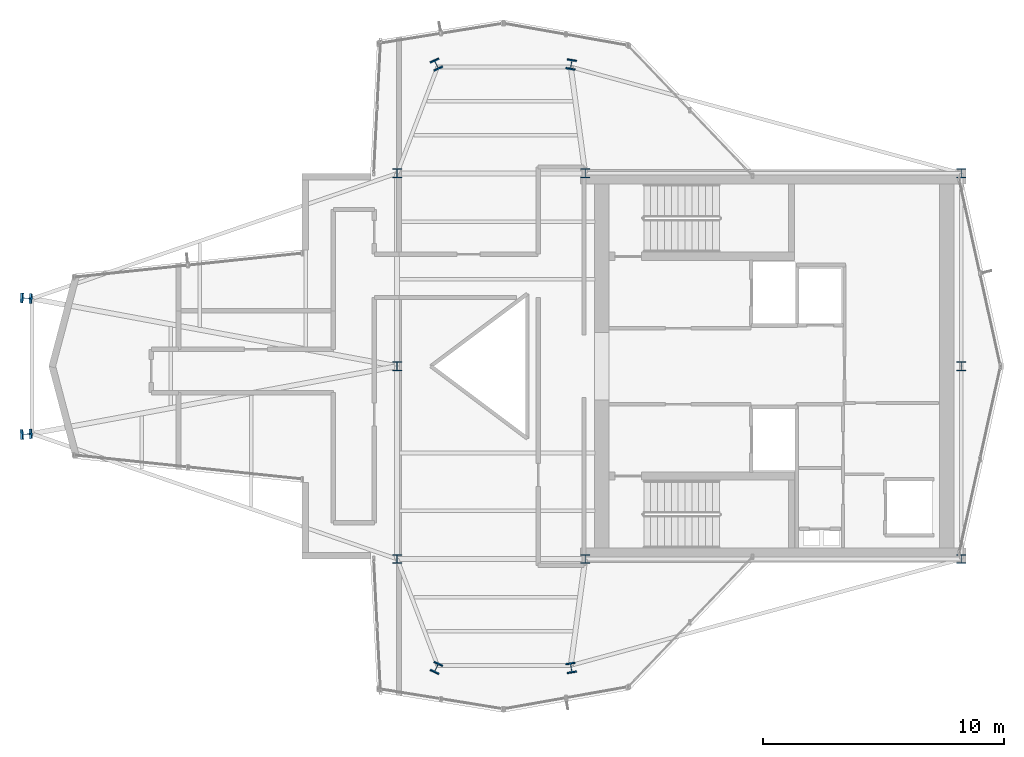
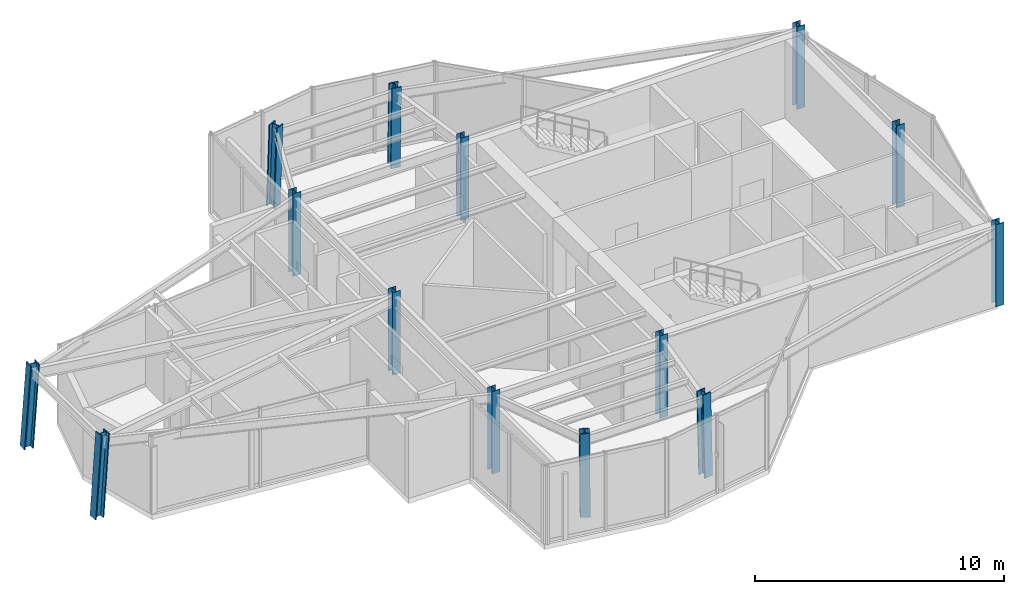
# One storey, part 1 of 14: 14 columns.
"""IFC4 building model written with IfcOpenShell, lengths in metres."""

from ifc_helpers import new_model, si_unit, direction, frame, origin, origin_2d, place, context, subcontext, project, spatial, i_section, extrude, material, material_profile, profile_set, type_object, element, save


model = new_model("IFC4")

# Units and contexts
model_context = context("Model", 3, precision=1e-05, world=origin(), true_north=direction((0.0, 1.0)))
body_context = subcontext(model_context, "Body", "Model", "MODEL_VIEW")
ifc_project = project(units=[si_unit("LENGTHUNIT", "METRE"), si_unit("AREAUNIT", "SQUARE_METRE"), si_unit("VOLUMEUNIT", "CUBIC_METRE"), si_unit("PLANEANGLEUNIT", "RADIAN"), si_unit("MASSUNIT", "GRAM", prefix="KILO")], contexts=[model_context])

# Site, building, storey
site_placement = place(None, origin())
site = spatial("IfcSite", under=ifc_project, at=site_placement, CompositionType="ELEMENT")
building_placement = place(site_placement, origin())
building = spatial("IfcBuilding", under=site, at=building_placement, Name="Veymaron Broadcast Tower", CompositionType="ELEMENT")
storey_placement = place(building_placement, frame((0.0, 0.0, 299.25)))
storey = spatial("IfcBuildingStorey", under=building, at=storey_placement, Name="L70", CompositionType="ELEMENT", Elevation=299.25)

# Columns
ifc_material_1 = material(Name="Structural steel ASTM A992 Gr 50", Category="steel")
ifc_material_profile_1 = material_profile(ifc_material_1, i_section(OverallWidth=0.373046875, OverallDepth=0.367919921875, WebThickness=0.014892578125, FlangeThickness=0.02392578125, at=origin_2d()), Name="W360X179")
ifc_profile_set_1 = profile_set([ifc_material_profile_1], Name="Structural steel ASTM A992 Gr 50")
column_type_1 = type_object("IfcColumnType", Name="COL-HC4", PredefinedType="COLUMN", material=ifc_profile_set_1)
for number, where, z_axis, x_axis, name in (
    (1, (31.199951171875, 16.0, 0.0), (0.0, 0.0, 1.0), (1.0, 0.0, 0.0), "L70 structural hub and core column"),
    (2, (31.199951171875, 24.0, 0.0), (0.0, 0.0, 1.0), (1.0, 0.0, 0.0), "L70 structural hub and core column"),
    (3, (31.199951171875, 32.0, 0.0), (0.0, 0.0, 1.0), (1.0, 0.0, 0.0), "L70 structural hub and core column"),
    (4, (39.0, 16.0, 0.0), (0.0, 0.0, 1.0), (1.0, 0.0, 0.0), "L70 structural hub and core column"),
    (5, (39.0, 32.0, 0.0), (0.0, 0.0, 1.0), (1.0, 0.0, 0.0), "L70 structural hub and core column"),
    (6, (54.60009765625, 16.0, 0.0), (0.0, 0.0, 1.0), (1.0, 0.0, 0.0), "L70 structural hub and core column"),
    (7, (54.60009765625, 24.0, 0.0), (0.0, 0.0, 1.0), (1.0, 0.0, 0.0), "L70 structural hub and core column"),
    (8, (54.60009765625, 32.0, 0.0), (0.0, 0.0, 1.0), (1.0, 0.0, 0.0), "L70 structural hub and core column"),
):
    element("IfcColumn", number, at=place(storey_placement, frame(where, z_axis=z_axis, x_axis=x_axis)), inside=storey, type_object=column_type_1, Name=name, PredefinedType="COLUMN", context=body_context, shape_type="SweptSolid", body=[
        extrude(i_section(OverallWidth=0.373046875, OverallDepth=0.367919921875, WebThickness=0.014892578125, FlangeThickness=0.02392578125, at=origin_2d()), origin(), (0.0, 0.0, 1.0), 4.0439453125),
    ])
ifc_material_2 = material(Name="Structural steel ASTM A913 Gr 65", Category="steel")
ifc_material_profile_2 = material_profile(ifc_material_2, i_section(OverallWidth=0.406005859375, OverallDepth=0.416015625, WebThickness=0.02978515625, FlangeThickness=0.048095703125, at=origin_2d()), Name="W360X382")
ifc_profile_set_2 = profile_set([ifc_material_profile_2], Name="Structural steel ASTM A913 Gr 65")
column_type_2 = type_object("IfcColumnType", Name="COL-MC4", PredefinedType="COLUMN", material=ifc_profile_set_2)
for number, where, z_axis, x_axis, name in (
    (9, (15.7763671875, 21.177978515625, 0.01611328125), (0.068561985202, 0.004970895479, 0.997634474336), (-0.072312401922, 0.997382031384, 0.0), "L70 Tapered Wing Mega Column"),
    (10, (15.7763671875, 26.822021484375, 0.01611328125), (0.068561985202, -0.004970895479, 0.997634474336), (0.072312401922, 0.997382031384, 0.0), "L70 Tapered Wing Mega Column"),
):
    element("IfcColumn", number, at=place(storey_placement, frame(where, z_axis=z_axis, x_axis=x_axis)), inside=storey, type_object=column_type_2, Name=name, PredefinedType="COLUMN", context=body_context, shape_type="SweptSolid", body=[
        extrude(i_section(OverallWidth=0.406005859375, OverallDepth=0.416015625, WebThickness=0.02978515625, FlangeThickness=0.048095703125, at=origin_2d()), origin(), (0.0, 0.0, 1.0), 4.02734375),
    ])
column_1_placement = place(storey_placement, frame((32.818359375, 36.531982421875, 0.01611328125), z_axis=(0.013968236766, -0.029819148922, 0.999457706318), x_axis=(0.905569653976, 0.424197597586, 0.0)))
element("IfcColumn", 11, at=column_1_placement, inside=storey, type_object=column_type_2, Name="L70 Tapered Wing Mega Column", PredefinedType="COLUMN", context=body_context, shape_type="SweptSolid", body=[
    extrude(i_section(OverallWidth=0.406005859375, OverallDepth=0.416015625, WebThickness=0.02978515625, FlangeThickness=0.048095703125, at=origin_2d()), origin(), (0.0, 0.0, 1.0), 4.02001953125),
])
column_2_placement = place(storey_placement, frame((38.422119140625, 36.531982421875, 0.01611328125), z_axis=(-0.004980404192, -0.029821688517, 0.99954282673), x_axis=(0.986339577116, -0.164724735893, 0.0)))
element("IfcColumn", 12, at=column_2_placement, inside=storey, type_object=column_type_2, Name="L70 Tapered Wing Mega Column", PredefinedType="COLUMN", context=body_context, shape_type="SweptSolid", body=[
    extrude(i_section(OverallWidth=0.406005859375, OverallDepth=0.416015625, WebThickness=0.02978515625, FlangeThickness=0.048095703125, at=origin_2d()), origin(), (0.0, 0.0, 1.0), 4.019775390625),
])
column_3_placement = place(storey_placement, frame((32.818359375, 11.468017578125, 0.01611328125), z_axis=(0.013968236766, 0.029819148922, 0.999457706318), x_axis=(-0.905569653976, 0.424197597586, 0.0)))
element("IfcColumn", 13, at=column_3_placement, inside=storey, type_object=column_type_2, Name="L70 Tapered Wing Mega Column", PredefinedType="COLUMN", context=body_context, shape_type="SweptSolid", body=[
    extrude(i_section(OverallWidth=0.406005859375, OverallDepth=0.416015625, WebThickness=0.02978515625, FlangeThickness=0.048095703125, at=origin_2d()), origin(), (0.0, 0.0, 1.0), 4.02001953125),
])
column_4_placement = place(storey_placement, frame((38.422119140625, 11.468017578125, 0.01611328125), z_axis=(-0.004980404192, 0.029821688517, 0.99954282673), x_axis=(-0.986339577116, -0.164724735893, 0.0)))
element("IfcColumn", 14, at=column_4_placement, inside=storey, type_object=column_type_2, Name="L70 Tapered Wing Mega Column", PredefinedType="COLUMN", context=body_context, shape_type="SweptSolid", body=[
    extrude(i_section(OverallWidth=0.406005859375, OverallDepth=0.416015625, WebThickness=0.02978515625, FlangeThickness=0.048095703125, at=origin_2d()), origin(), (0.0, 0.0, 1.0), 4.019775390625),
])

save(model, "model.ifc")
